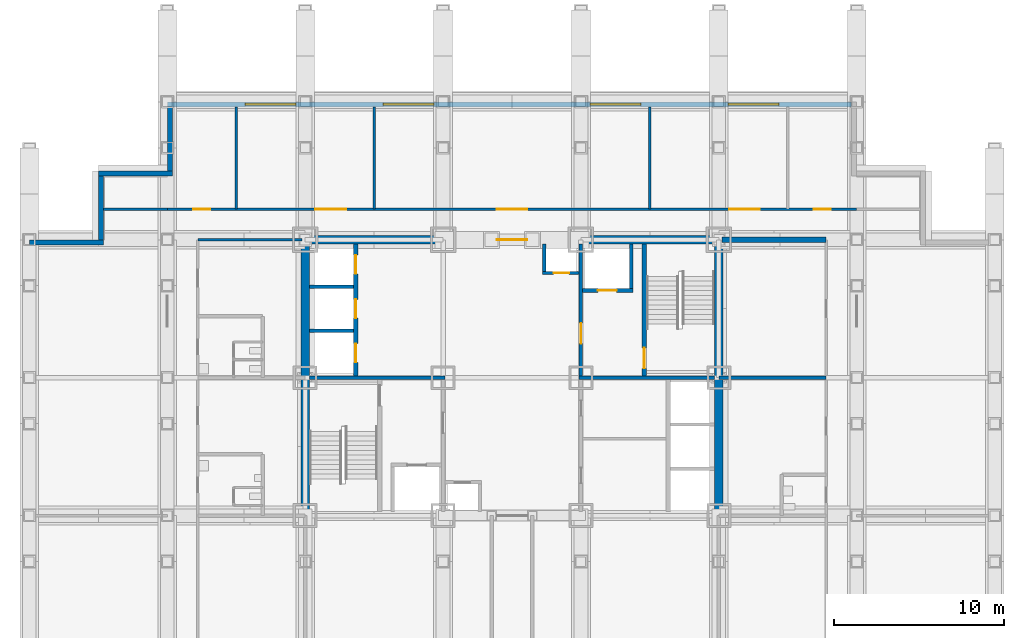
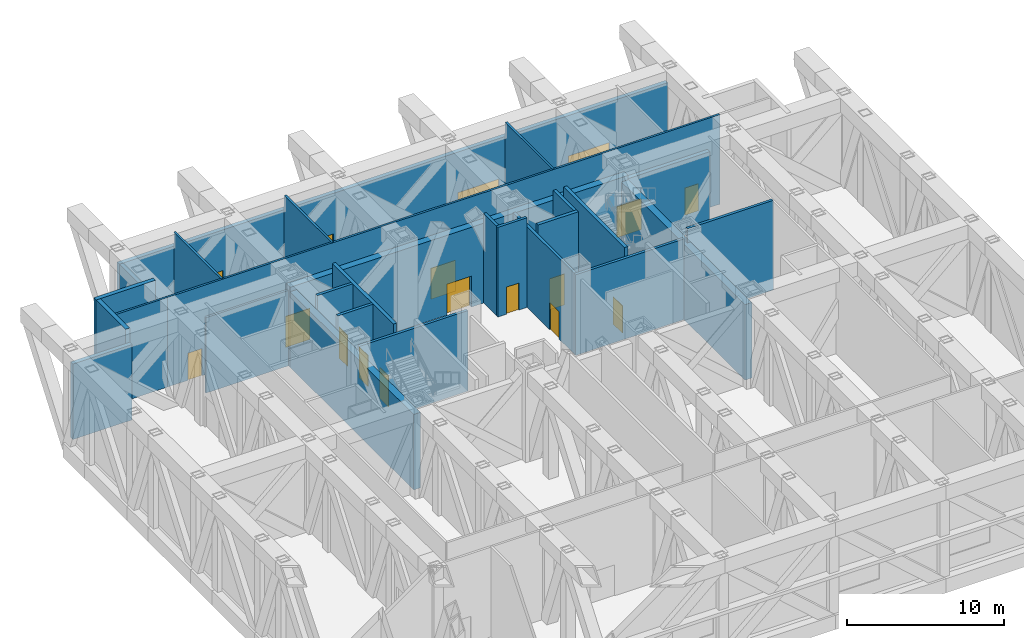
# One storey, part 10 of 13: 27 walls, 13 doors, 4 windows, 17 openings.
"""IFC4 building model written with IfcOpenShell, lengths in metres."""

import ifcopenshell
import ifcopenshell.guid

model = None  # the IFC model being written
_history = None  # IfcOwnerHistory: only IFC2X3 demands one
_inside = {}  # id of a spatial element -> (the spatial element, [elements in it])
_under = {}  # id of a project, library or spatial element -> (it, [spatial elements below it])
_declared = {}  # id of a project -> (the project, [libraries it declares])
_typed = {}  # id of a type object -> (the type object, [elements of that type])
_made_of = {}  # id of a material, layer set ... -> (it, [elements and type objects made of it])


def new_model(schema):
    """Start an empty IFC model of exactly this schema.

    Asked for "IFC4X3", IfcOpenShell would pick the latest addendum, in which some entities
    have other attributes; the version numbers below select the first issue.
    IFC2X3 requires an IfcOwnerHistory on every rooted entity: one is made here for all.
    """
    global model, _history
    if schema == "IFC4X3":
        model = ifcopenshell.file(schema_version=(4, 3, 0, 0))
    else:
        model = ifcopenshell.file(schema=schema)
    _inside.clear()
    _under.clear()
    _declared.clear()
    _typed.clear()
    _made_of.clear()
    _history = None
    if model.schema == "IFC2X3":
        org = make("IfcOrganization", Name="unknown")
        user = make(
            "IfcPersonAndOrganization",
            ThePerson=make("IfcPerson", FamilyName="unknown"),
            TheOrganization=org,
        )
        app = make(
            "IfcApplication",
            ApplicationDeveloper=org,
            Version="unknown",
            ApplicationFullName="unknown",
            ApplicationIdentifier="unknown",
        )
        _history = make(
            "IfcOwnerHistory",
            OwningUser=user,
            OwningApplication=app,
            ChangeAction="ADDED",
            CreationDate=0,
        )
    return model


def make(cls, **values):
    """One entity of the class cls with the attributes given. An attribute that is None is left unset."""
    return model.create_entity(
        cls, **{name: value for name, value in values.items() if value is not None}
    )


def rooted(cls, **values):
    """An entity with a GlobalId (a new one), such as an element, a storey or a relation."""
    return make(cls, GlobalId=ifcopenshell.guid.new(), OwnerHistory=_history, **values)


def si_unit(unit_type, name, prefix=None):
    """IfcSIUnit, for example si_unit("LENGTHUNIT", "METRE", prefix="MILLI")."""
    return make("IfcSIUnit", UnitType=unit_type, Prefix=prefix, Name=name)


def assignment(units):
    """IfcUnitAssignment: the units of a project."""
    return None if units is None else make("IfcUnitAssignment", Units=units)


def point(xyz):
    """IfcCartesianPoint."""
    return None if xyz is None else make("IfcCartesianPoint", Coordinates=xyz)


def direction(xyz):
    """IfcDirection."""
    return None if xyz is None else make("IfcDirection", DirectionRatios=xyz)


def frame(location, z_axis=None, x_axis=None):
    """IfcAxis2Placement3D, a coordinate frame: its origin and axes. An axis left out is left unset."""
    return make(
        "IfcAxis2Placement3D",
        Location=point(location),
        Axis=direction(z_axis),
        RefDirection=direction(x_axis),
    )


def frame_2d(location, x_axis=None):
    """IfcAxis2Placement2D, a coordinate frame in the plane: its origin and x axis."""
    return make(
        "IfcAxis2Placement2D", Location=point(location), RefDirection=direction(x_axis)
    )


def origin():
    """The frame at (0, 0, 0) with its axes left unset."""
    return frame((0.0, 0.0, 0.0))


def place(relative_to, where):
    """IfcLocalPlacement: puts the frame where relative to a parent placement (None: the world)."""
    return make(
        "IfcLocalPlacement", PlacementRelTo=relative_to, RelativePlacement=where
    )


def context(
    kind, dimensions, precision=None, world=None, true_north=None, identifier=None
):
    """IfcGeometricRepresentationContext, for example the 3D "Model" context."""
    return make(
        "IfcGeometricRepresentationContext",
        ContextIdentifier=identifier,
        ContextType=kind,
        CoordinateSpaceDimension=dimensions,
        Precision=precision,
        WorldCoordinateSystem=world,
        TrueNorth=true_north,
    )


def subcontext(parent, identifier, kind, view, scale=None):
    """IfcGeometricRepresentationSubContext, for example "Body" below "Model"."""
    return make(
        "IfcGeometricRepresentationSubContext",
        ContextIdentifier=identifier,
        ContextType=kind,
        ParentContext=parent,
        TargetScale=scale,
        TargetView=view,
    )


def project(units=None, contexts=None):
    """IfcProject with its units and contexts."""
    return rooted(
        "IfcProject",
        Name="project",
        RepresentationContexts=contexts,
        UnitsInContext=assignment(units),
    )


def spatial(cls, under=None, at=None, **own):
    """A site, building, storey or space (cls), placed at a placement, below another one or the project."""
    s = rooted(cls, ObjectPlacement=at, **own)
    if under is not None:
        _under.setdefault(under.id(), (under, []))[1].append(s)
    return s


def profile(cls, at=None, kind="AREA", **sizes):
    """A parametric profile (cls). Its sizes go by their IFC names, for example OverallWidth=200.0."""
    return make(cls, ProfileType=kind, Position=at, **sizes)


def rectangle(**sizes):
    """IfcRectangleProfileDef."""
    return profile("IfcRectangleProfileDef", **sizes)


def extrude(swept, where, along, depth):
    """IfcExtrudedAreaSolid: the profile swept, set in the frame where, extruded along a direction by depth."""
    return make(
        "IfcExtrudedAreaSolid",
        SweptArea=swept,
        Position=where,
        ExtrudedDirection=direction(along),
        Depth=depth,
    )


def shape(context_of_items, identifier, shape_type, items):
    """IfcShapeRepresentation: the items that make up one representation, for example the "Body"."""
    return make(
        "IfcShapeRepresentation",
        ContextOfItems=context_of_items,
        RepresentationIdentifier=identifier,
        RepresentationType=shape_type,
        Items=items,
    )


def material(Name=None, Category=None):
    """IfcMaterial."""
    return make("IfcMaterial", Name=Name, Category=Category)


def layer(
    of_material, thickness, ventilated=None, Name=None, Category=None, Priority=None
):
    """IfcMaterialLayer: one layer of a wall or slab, of a material (None: an air gap)."""
    return make(
        "IfcMaterialLayer",
        Material=of_material,
        LayerThickness=thickness,
        IsVentilated=ventilated,
        Name=Name,
        Category=Category,
        Priority=Priority,
    )


def layer_set(layers, Name=None):
    """IfcMaterialLayerSet."""
    return make("IfcMaterialLayerSet", MaterialLayers=layers, LayerSetName=Name)


def made_of(thing, what):
    """Note that an element or type object is made of a material, layer set ...; save() writes the relation."""
    if what is not None:
        _made_of.setdefault(what.id(), (what, []))[1].append(thing)
    return thing


def type_object(cls, material=None, **own):
    """A type object (cls), such as IfcWallType, which elements share."""
    return made_of(rooted(cls, **own), material)


def element(
    cls,
    number,
    at=None,
    inside=None,
    cuts=None,
    type_object=None,
    material=None,
    context=None,
    identifier="Body",
    shape_type=None,
    held_by="IfcProductDefinitionShape",
    body=None,
    shapes=None,
    **own,
):
    """One element of the class cls, such as IfcWall. Its Tag is "e" and its number.

    at: its placement. inside: the storey or other place that contains it. cuts: it is an
    opening in that element (IfcRelVoidsElement). A single representation is given by context,
    identifier, shape_type and body (its items); several are given by shapes. held_by: the class
    of the entity that holds the representations. save() writes the other relations.
    """
    e = rooted(cls, Tag="e%d" % number, ObjectPlacement=at, **own)
    if body is not None:
        shapes = [shape(context, identifier, shape_type, body)]
    if shapes is not None:
        e.Representation = make(held_by, Representations=shapes)
    if inside is not None:
        _inside.setdefault(inside.id(), (inside, []))[1].append(e)
    if cuts is not None:
        rooted(
            "IfcRelVoidsElement", RelatingBuildingElement=cuts, RelatedOpeningElement=e
        )
    if type_object is not None:
        _typed.setdefault(type_object.id(), (type_object, []))[1].append(e)
    return made_of(e, material)


def fill(opening, filler):
    """IfcRelFillsElement: the door or window that sits in an opening."""
    return rooted(
        "IfcRelFillsElement",
        RelatingOpeningElement=opening,
        RelatedBuildingElement=filler,
    )


def aggregate(whole, parts):
    """IfcRelAggregates: a whole, such as a stair, and the parts it consists of."""
    return rooted("IfcRelAggregates", RelatingObject=whole, RelatedObjects=parts)


def save(model, path):
    """Write the relations noted so far, then the file.

    IfcRelAggregates (storeys below a building ...), IfcRelContainedInSpatialStructure (elements
    in a storey), IfcRelDefinesByType, IfcRelAssociatesMaterial and IfcRelDeclares: one each for
    every whole, place, type object, material and project.
    """
    for whole, parts in _under.values():
        aggregate(whole, parts)
    for where, things in _inside.values():
        rooted(
            "IfcRelContainedInSpatialStructure",
            RelatedElements=things,
            RelatingStructure=where,
        )
    for kind, things in _typed.values():
        rooted("IfcRelDefinesByType", RelatedObjects=things, RelatingType=kind)
    for what, things in _made_of.values():
        rooted("IfcRelAssociatesMaterial", RelatedObjects=things, RelatingMaterial=what)
    for by, libraries in _declared.values():
        rooted("IfcRelDeclares", RelatingContext=by, RelatedDefinitions=libraries)
    model.write(path)


model = new_model("IFC4")

# Units and contexts
model_context = context("Model", 3, precision=1e-05, world=origin(), true_north=direction((0.0, 1.0)))
body_context = subcontext(model_context, "Body", "Model", "MODEL_VIEW")
ifc_project = project(units=[si_unit("LENGTHUNIT", "METRE"), si_unit("AREAUNIT", "SQUARE_METRE"), si_unit("VOLUMEUNIT", "CUBIC_METRE"), si_unit("PLANEANGLEUNIT", "RADIAN"), si_unit("MASSUNIT", "GRAM", prefix="KILO")], contexts=[model_context])

# Site, building, storey
site_placement = place(None, origin())
site = spatial("IfcSite", under=ifc_project, at=site_placement, CompositionType="ELEMENT")
building_placement = place(site_placement, origin())
building = spatial("IfcBuilding", under=site, at=building_placement, Name="Kopane Lantern Tower", CompositionType="ELEMENT")
storey_placement = place(building_placement, frame((0.0, 0.0, 90.800048828125)))
storey = spatial("IfcBuildingStorey", under=building, at=storey_placement, Name="L23", CompositionType="ELEMENT", Elevation=90.800048828125)

# Wall, opening, door
ifc_material_1 = material(Name="Gypsum shaft wall EI 120", Category="gypsum")
ifc_layer_1 = layer(ifc_material_1, 0.5)
ifc_layer_set_1 = layer_set([ifc_layer_1], Name="CORE PERIMETER WALL 500 EI 120")
wall_type_1 = type_object("IfcWallType", Name="CORE PERIMETER WALL 500 EI 120", PredefinedType="SOLIDWALL", material=ifc_layer_set_1)
wall_1_placement = place(storey_placement, frame((15.949951171875, 40.5, 0.0), z_axis=(0.0, 0.0, 1.0), x_axis=(1.0, 0.0, 0.0)))
wall_1 = element("IfcWall", 1, at=wall_1_placement, inside=storey, type_object=wall_type_1, Name="Core shaft wall L23 PN", PredefinedType="SOLIDWALL", context=body_context, shape_type="SweptSolid", body=[
    extrude(rectangle(XDim=24.800048828125, YDim=0.5, at=frame_2d((12.39990234375, 0.0))), origin(), (0.0, 0.0, 1.0), 6.187744140625),
])
opening_1_placement = place(wall_1_placement, frame((11.5, 0.0, 0.0)))
opening_1 = element("IfcOpeningElement", 2, at=opening_1_placement, cuts=wall_1, Name="Opening 23.CE-N", PredefinedType="OPENING", context=body_context, shape_type="SweptSolid", body=[
    extrude(rectangle(XDim=1.800048828125, YDim=2.39990234375, at=frame_2d((0.89990234375, 1.199951171875))), frame((0.0, 0.260009765625, 0.0), z_axis=(0.0, -1.0, 0.0), x_axis=(1.0, 0.0, 0.0)), (0.0, 0.0, 1.0), 0.52001953125),
])
ifc_material_2 = material(Name="Steel door set", Category="steel")
door_type_1 = type_object("IfcDoorType", Name="CORE ENTRY DOOR 1800x2400 FD60S", OperationType="DOUBLE_DOOR_SINGLE_SWING", PredefinedType="DOOR", material=ifc_material_2)
door_1_placement = place(opening_1_placement, origin())
door_1 = element("IfcDoor", 3, at=door_1_placement, inside=storey, type_object=door_type_1, Name="Core entry door L23 north", OperationType="DOUBLE_DOOR_SINGLE_SWING", OverallHeight=2.39990234375, OverallWidth=1.800048828125, PredefinedType="DOOR", context=body_context, shape_type="SweptSolid", body=[
    extrude(rectangle(XDim=1.800048828125, YDim=2.39990234375, at=frame_2d((0.89990234375, 1.199951171875))), frame((0.0, 0.02490234375, 0.0), z_axis=(0.0, -1.0, 0.0), x_axis=(1.0, 0.0, 0.0)), (0.0, 0.0, 1.0), 0.050048828125),
])
fill(opening_1, door_1)

# Walls
for number, where, z_axis, x_axis, name in (
    (4, (16.199951171875, 24.550048828125, 0.0), (0.0, 0.0, 1.0), (0.0, 1.0, 0.0), "Core shaft wall L23 PW"),
    (5, (40.5, 24.550048828125, 0.0), (0.0, 0.0, 1.0), (0.0, 1.0, 0.0), "Core shaft wall L23 PE"),
):
    element("IfcWall", number, at=place(storey_placement, frame(where, z_axis=z_axis, x_axis=x_axis)), inside=storey, type_object=wall_type_1, Name=name, PredefinedType="SOLIDWALL", context=body_context, shape_type="SweptSolid", body=[
        extrude(rectangle(XDim=15.699951171875, YDim=0.5, at=frame_2d((7.85009765625, 0.0))), origin(), (0.0, 0.0, 1.0), 5.849853515625),
    ])

# Wall, openings, doors
ifc_material_3 = material(Name="Gypsum shaft wall EI 120", Category="gypsum")
ifc_layer_2 = layer(ifc_material_3, 0.25)
ifc_layer_set_2 = layer_set([ifc_layer_2], Name="CORE SHAFT WALL 250 EI 120")
wall_type_2 = type_object("IfcWallType", Name="CORE SHAFT WALL 250 EI 120", PredefinedType="SOLIDWALL", material=ifc_layer_set_2)
wall_2_placement = place(storey_placement, frame((19.175048828125, 32.5, 0.0), z_axis=(0.0, 0.0, 1.0), x_axis=(0.0, 1.0, 0.0)))
wall_2 = element("IfcWall", 6, at=wall_2_placement, inside=storey, type_object=wall_type_2, Name="Core shaft wall L23 XLH", PredefinedType="SOLIDWALL", context=body_context, shape_type="SweptSolid", body=[
    extrude(rectangle(XDim=7.75, YDim=0.25, at=frame_2d((3.875, 0.0))), origin(), (0.0, 0.0, 1.0), 6.949951171875),
])
opening_2_placement = place(wall_2_placement, frame((0.800048828125, 0.0, 0.0)))
opening_2 = element("IfcOpeningElement", 7, at=opening_2_placement, cuts=wall_2, Name="Opening 23.LD-LH1", PredefinedType="OPENING", context=body_context, shape_type="SweptSolid", body=[
    extrude(rectangle(XDim=1.10009765625, YDim=2.39990234375, at=frame_2d((0.550048828125, 1.199951171875))), frame((0.0, 0.135009765625, 0.0), z_axis=(0.0, -1.0, 0.0), x_axis=(1.0, 0.0, 0.0)), (0.0, 0.0, 1.0), 0.27001953125),
])
opening_3_placement = place(wall_2_placement, frame((3.39990234375, 0.0, 0.0)))
opening_3 = element("IfcOpeningElement", 8, at=opening_3_placement, cuts=wall_2, Name="Opening 23.LD-LH2", PredefinedType="OPENING", context=body_context, shape_type="SweptSolid", body=[
    extrude(rectangle(XDim=1.10009765625, YDim=2.39990234375, at=frame_2d((0.550048828125, 1.199951171875))), frame((0.0, 0.135009765625, 0.0), z_axis=(0.0, -1.0, 0.0), x_axis=(1.0, 0.0, 0.0)), (0.0, 0.0, 1.0), 0.27001953125),
])
opening_4_placement = place(wall_2_placement, frame((6.0, 0.0, 0.0)))
opening_4 = element("IfcOpeningElement", 9, at=opening_4_placement, cuts=wall_2, Name="Opening 23.LD-LH3", PredefinedType="OPENING", context=body_context, shape_type="SweptSolid", body=[
    extrude(rectangle(XDim=1.10009765625, YDim=2.39990234375, at=frame_2d((0.550048828125, 1.199951171875))), frame((0.0, 0.135009765625, 0.0), z_axis=(0.0, -1.0, 0.0), x_axis=(1.0, 0.0, 0.0)), (0.0, 0.0, 1.0), 0.27001953125),
])
ifc_material_4 = material(Name="Steel door set", Category="steel")
door_type_2 = type_object("IfcDoorType", Name="LIFT LANDING DOOR 1100x2400 FD60", OperationType="DOUBLE_DOOR_SLIDING", PredefinedType="DOOR", material=ifc_material_4)
door_2_placement = place(opening_2_placement, origin())
door_2 = element("IfcDoor", 10, at=door_2_placement, inside=storey, type_object=door_type_2, Name="Landing door LH1 L23", OperationType="DOUBLE_DOOR_SLIDING", OverallHeight=2.39990234375, OverallWidth=1.10009765625, PredefinedType="DOOR", context=body_context, shape_type="SweptSolid", body=[
    extrude(rectangle(XDim=1.10009765625, YDim=2.39990234375, at=frame_2d((0.550048828125, 1.199951171875))), frame((0.0, 0.02490234375, 0.0), z_axis=(0.0, -1.0, 0.0), x_axis=(1.0, 0.0, 0.0)), (0.0, 0.0, 1.0), 0.050048828125),
])
fill(opening_2, door_2)
door_3_placement = place(opening_3_placement, origin())
door_3 = element("IfcDoor", 11, at=door_3_placement, inside=storey, type_object=door_type_2, Name="Landing door LH2 L23", OperationType="DOUBLE_DOOR_SLIDING", OverallHeight=2.39990234375, OverallWidth=1.10009765625, PredefinedType="DOOR", context=body_context, shape_type="SweptSolid", body=[
    extrude(rectangle(XDim=1.10009765625, YDim=2.39990234375, at=frame_2d((0.550048828125, 1.199951171875))), frame((0.0, 0.02490234375, 0.0), z_axis=(0.0, -1.0, 0.0), x_axis=(1.0, 0.0, 0.0)), (0.0, 0.0, 1.0), 0.050048828125),
])
fill(opening_3, door_3)
door_4_placement = place(opening_4_placement, origin())
door_4 = element("IfcDoor", 12, at=door_4_placement, inside=storey, type_object=door_type_2, Name="Landing door LH3 L23", OperationType="DOUBLE_DOOR_SLIDING", OverallHeight=2.39990234375, OverallWidth=1.10009765625, PredefinedType="DOOR", context=body_context, shape_type="SweptSolid", body=[
    extrude(rectangle(XDim=1.10009765625, YDim=2.39990234375, at=frame_2d((0.550048828125, 1.199951171875))), frame((0.0, 0.02490234375, 0.0), z_axis=(0.0, -1.0, 0.0), x_axis=(1.0, 0.0, 0.0)), (0.0, 0.0, 1.0), 0.050048828125),
])
fill(opening_4, door_4)

# Wall, opening, door
wall_3_placement = place(storey_placement, frame((36.125, 32.5, 0.0), z_axis=(0.0, 0.0, 1.0), x_axis=(0.0, 1.0, 0.0)))
wall_3 = element("IfcWall", 13, at=wall_3_placement, inside=storey, type_object=wall_type_2, Name="Core shaft wall L23 XST2", PredefinedType="SOLIDWALL", context=body_context, shape_type="SweptSolid", body=[
    extrude(rectangle(XDim=7.75, YDim=0.25, at=frame_2d((3.875, 0.0))), origin(), (0.0, 0.0, 1.0), 6.949951171875),
])
opening_5_placement = place(wall_3_placement, frame((0.449951171875, 0.0, 0.0)))
opening_5 = element("IfcOpeningElement", 14, at=opening_5_placement, cuts=wall_3, Name="Opening 23.SD2", PredefinedType="OPENING", context=body_context, shape_type="SweptSolid", body=[
    extrude(rectangle(XDim=1.199951171875, YDim=2.10009765625, at=frame_2d((0.60009765625, 1.050048828125))), frame((0.0, 0.135009765625, 0.0), z_axis=(0.0, -1.0, 0.0), x_axis=(1.0, 0.0, 0.0)), (0.0, 0.0, 1.0), 0.27001953125),
])
ifc_material_5 = material(Name="Steel door set", Category="steel")
door_type_3 = type_object("IfcDoorType", Name="STAIR DOOR 1200x2100 FD60S", OperationType="SINGLE_SWING_LEFT", PredefinedType="DOOR", material=ifc_material_5)
door_5_placement = place(opening_5_placement, origin())
door_5 = element("IfcDoor", 15, at=door_5_placement, inside=storey, type_object=door_type_3, Name="Stair door ST2 L23", OperationType="SINGLE_SWING_RIGHT", OverallHeight=2.10009765625, OverallWidth=1.199951171875, PredefinedType="DOOR", context=body_context, shape_type="SweptSolid", body=[
    extrude(rectangle(XDim=1.199951171875, YDim=2.10009765625, at=frame_2d((0.60009765625, 1.050048828125))), frame((0.0, 0.02490234375, 0.0), z_axis=(0.0, -1.0, 0.0), x_axis=(1.0, 0.0, 0.0)), (0.0, 0.0, 1.0), 0.050048828125),
])
fill(opening_5, door_5)

wall_4_placement = place(storey_placement, frame((32.5, 37.52490234375, 0.0), z_axis=(0.0, 0.0, 1.0), x_axis=(1.0, 0.0, 0.0)))
wall_4 = element("IfcWall", 16, at=wall_4_placement, inside=storey, type_object=wall_type_2, Name="Core shaft wall L23 YLF2", PredefinedType="SOLIDWALL", context=body_context, shape_type="SweptSolid", body=[
    extrude(rectangle(XDim=2.949951171875, YDim=0.25, at=frame_2d((1.47509765625, 0.0))), origin(), (0.0, 0.0, 1.0), 6.949951171875),
])
opening_6_placement = place(wall_4_placement, frame((0.89990234375, 0.0, 0.0)))
opening_6 = element("IfcOpeningElement", 17, at=opening_6_placement, cuts=wall_4, Name="Opening 23.LD-LF2", PredefinedType="OPENING", context=body_context, shape_type="SweptSolid", body=[
    extrude(rectangle(XDim=1.10009765625, YDim=2.39990234375, at=frame_2d((0.550048828125, 1.199951171875))), frame((0.0, 0.135009765625, 0.0), z_axis=(0.0, -1.0, 0.0), x_axis=(1.0, 0.0, 0.0)), (0.0, 0.0, 1.0), 0.27001953125),
])
door_6_placement = place(opening_6_placement, origin())
door_6 = element("IfcDoor", 18, at=door_6_placement, inside=storey, type_object=door_type_2, Name="Landing door LF2 L23", OperationType="DOUBLE_DOOR_SLIDING", OverallHeight=2.39990234375, OverallWidth=1.10009765625, PredefinedType="DOOR", context=body_context, shape_type="SweptSolid", body=[
    extrude(rectangle(XDim=1.10009765625, YDim=2.39990234375, at=frame_2d((0.550048828125, 1.199951171875))), frame((0.0, 0.02490234375, 0.0), z_axis=(0.0, -1.0, 0.0), x_axis=(1.0, 0.0, 0.0)), (0.0, 0.0, 1.0), 0.050048828125),
])
fill(opening_6, door_6)

# Wall, openings, doors
ifc_material_6 = material(Name="Gypsum board on steel studs", Category="steel")
ifc_layer_3 = layer(ifc_material_6, 0.14990234375)
ifc_layer_set_3 = layer_set([ifc_layer_3], Name="CORRIDOR WALL 150 EI 60")
wall_type_3 = type_object("IfcWallType", Name="CORRIDOR WALL 150 EI 60", PredefinedType="PARTITIONING", material=ifc_layer_set_3)
wall_5_placement = place(storey_placement, frame((8.10009765625, 42.300048828125, 0.0), z_axis=(0.0, 0.0, 1.0), x_axis=(1.0, 0.0, 0.0)))
wall_5 = element("IfcWall", 19, at=wall_5_placement, inside=storey, type_object=wall_type_3, Name="Corridor Wall 150 Ei 60 L23", PredefinedType="PARTITIONING", context=body_context, shape_type="SweptSolid", body=[
    extrude(rectangle(XDim=40.5, YDim=0.14990234375, at=frame_2d((20.25, 0.0))), origin(), (0.0, 0.0, 1.0), 6.949951171875),
])
opening_7_placement = place(wall_5_placement, frame((8.699951171875, 0.0, 0.0)))
opening_7 = element("IfcOpeningElement", 20, at=opening_7_placement, cuts=wall_5, Name="Opening L23-014", PredefinedType="OPENING", context=body_context, shape_type="SweptSolid", body=[
    extrude(rectangle(XDim=1.800048828125, YDim=2.39990234375, at=frame_2d((0.89990234375, 1.199951171875))), frame((0.0, 0.0849609375, 0.0), z_axis=(0.0, -1.0, 0.0), x_axis=(1.0, 0.0, 0.0)), (0.0, 0.0, 1.0), 0.169921875),
])
opening_8_placement = place(wall_5_placement, frame((19.35009765625, 0.0, 0.0)))
opening_8 = element("IfcOpeningElement", 21, at=opening_8_placement, cuts=wall_5, Name="Opening L23-015", PredefinedType="OPENING", context=body_context, shape_type="SweptSolid", body=[
    extrude(rectangle(XDim=1.800048828125, YDim=2.39990234375, at=frame_2d((0.89990234375, 1.199951171875))), frame((0.0, 0.0849609375, 0.0), z_axis=(0.0, -1.0, 0.0), x_axis=(1.0, 0.0, 0.0)), (0.0, 0.0, 1.0), 0.169921875),
])
opening_9_placement = place(wall_5_placement, frame((33.0, 0.0, 0.0)))
opening_9 = element("IfcOpeningElement", 22, at=opening_9_placement, cuts=wall_5, Name="Opening L23-016", PredefinedType="OPENING", context=body_context, shape_type="SweptSolid", body=[
    extrude(rectangle(XDim=1.800048828125, YDim=2.39990234375, at=frame_2d((0.89990234375, 1.199951171875))), frame((0.0, 0.0849609375, 0.0), z_axis=(0.0, -1.0, 0.0), x_axis=(1.0, 0.0, 0.0)), (0.0, 0.0, 1.0), 0.169921875),
])
opening_10_placement = place(wall_5_placement, frame((37.97509765625, 0.0, 0.0)))
opening_10 = element("IfcOpeningElement", 23, at=opening_10_placement, cuts=wall_5, Name="Opening L23-023", PredefinedType="OPENING", context=body_context, shape_type="SweptSolid", body=[
    extrude(rectangle(XDim=1.0, YDim=2.10009765625, at=frame_2d((0.5, 1.050048828125))), frame((0.0, 0.0849609375, 0.0), z_axis=(0.0, -1.0, 0.0), x_axis=(1.0, 0.0, 0.0)), (0.0, 0.0, 1.0), 0.169921875),
])
opening_11_placement = place(wall_5_placement, frame((1.52490234375, 0.0, 0.0)))
opening_11 = element("IfcOpeningElement", 24, at=opening_11_placement, cuts=wall_5, Name="Opening L23-024", PredefinedType="OPENING", context=body_context, shape_type="SweptSolid", body=[
    extrude(rectangle(XDim=1.0, YDim=2.10009765625, at=frame_2d((0.5, 1.050048828125))), frame((0.0, 0.0849609375, 0.0), z_axis=(0.0, -1.0, 0.0), x_axis=(1.0, 0.0, 0.0)), (0.0, 0.0, 1.0), 0.169921875),
])
ifc_material_7 = material(Name="Steel door set", Category="steel")
door_type_4 = type_object("IfcDoorType", Name="DOOR D5 1000x2100 FD60", OperationType="SINGLE_SWING_LEFT", PredefinedType="DOOR", material=ifc_material_7)
door_7_placement = place(opening_10_placement, origin())
door_7 = element("IfcDoor", 25, at=door_7_placement, inside=storey, type_object=door_type_4, Name="Door L23-023", OperationType="SINGLE_SWING_LEFT", OverallHeight=2.10009765625, OverallWidth=1.0, PredefinedType="DOOR", context=body_context, shape_type="SweptSolid", body=[
    extrude(rectangle(XDim=1.0, YDim=2.10009765625, at=frame_2d((0.5, 1.050048828125))), frame((0.0, 0.02490234375, 0.0), z_axis=(0.0, -1.0, 0.0), x_axis=(1.0, 0.0, 0.0)), (0.0, 0.0, 1.0), 0.050048828125),
])
fill(opening_10, door_7)
door_8_placement = place(opening_11_placement, origin())
door_8 = element("IfcDoor", 26, at=door_8_placement, inside=storey, type_object=door_type_4, Name="Door L23-024", OperationType="SINGLE_SWING_RIGHT", OverallHeight=2.10009765625, OverallWidth=1.0, PredefinedType="DOOR", context=body_context, shape_type="SweptSolid", body=[
    extrude(rectangle(XDim=1.0, YDim=2.10009765625, at=frame_2d((0.5, 1.050048828125))), frame((0.0, 0.02490234375, 0.0), z_axis=(0.0, -1.0, 0.0), x_axis=(1.0, 0.0, 0.0)), (0.0, 0.0, 1.0), 0.050048828125),
])
fill(opening_11, door_8)
ifc_material_8 = material(Name="Steel door set", Category="steel")
door_type_5 = type_object("IfcDoorType", Name="DOOR D6 1800x2400 FD30S", OperationType="SINGLE_SWING_LEFT", PredefinedType="DOOR", material=ifc_material_8)
door_9_placement = place(opening_7_placement, origin())
door_9 = element("IfcDoor", 27, at=door_9_placement, inside=storey, type_object=door_type_5, Name="Door L23-014", OperationType="DOUBLE_DOOR_SINGLE_SWING", OverallHeight=2.39990234375, OverallWidth=1.800048828125, PredefinedType="DOOR", context=body_context, shape_type="SweptSolid", body=[
    extrude(rectangle(XDim=1.800048828125, YDim=2.39990234375, at=frame_2d((0.89990234375, 1.199951171875))), frame((0.0, 0.02490234375, 0.0), z_axis=(0.0, -1.0, 0.0), x_axis=(1.0, 0.0, 0.0)), (0.0, 0.0, 1.0), 0.050048828125),
])
fill(opening_7, door_9)
ifc_material_9 = material(Name="Steel door set", Category="steel")
door_type_6 = type_object("IfcDoorType", Name="DOOR D8 1800x2400 FD120", OperationType="SINGLE_SWING_LEFT", PredefinedType="DOOR", material=ifc_material_9)
door_10_placement = place(opening_8_placement, origin())
door_10 = element("IfcDoor", 28, at=door_10_placement, inside=storey, type_object=door_type_6, Name="Door L23-015", OperationType="DOUBLE_DOOR_SINGLE_SWING", OverallHeight=2.39990234375, OverallWidth=1.800048828125, PredefinedType="DOOR", context=body_context, shape_type="SweptSolid", body=[
    extrude(rectangle(XDim=1.800048828125, YDim=2.39990234375, at=frame_2d((0.89990234375, 1.199951171875))), frame((0.0, 0.02490234375, 0.0), z_axis=(0.0, -1.0, 0.0), x_axis=(1.0, 0.0, 0.0)), (0.0, 0.0, 1.0), 0.050048828125),
])
fill(opening_8, door_10)
door_11_placement = place(opening_9_placement, origin())
door_11 = element("IfcDoor", 29, at=door_11_placement, inside=storey, type_object=door_type_6, Name="Door L23-016", OperationType="DOUBLE_DOOR_SINGLE_SWING", OverallHeight=2.39990234375, OverallWidth=1.800048828125, PredefinedType="DOOR", context=body_context, shape_type="SweptSolid", body=[
    extrude(rectangle(XDim=1.800048828125, YDim=2.39990234375, at=frame_2d((0.89990234375, 1.199951171875))), frame((0.0, 0.02490234375, 0.0), z_axis=(0.0, -1.0, 0.0), x_axis=(1.0, 0.0, 0.0)), (0.0, 0.0, 1.0), 0.050048828125),
])
fill(opening_9, door_11)

# Walls
wall_6_placement = place(storey_placement, frame((16.0, 40.5, 0.0), z_axis=(0.0, 0.0, 1.0), x_axis=(-1.0, 0.0, 0.0)))
element("IfcWall", 30, at=wall_6_placement, inside=storey, type_object=wall_type_3, Name="Corridor Wall 150 Ei 60 L23", PredefinedType="PARTITIONING", context=body_context, shape_type="SweptSolid", body=[
    extrude(rectangle(XDim=6.10009765625, YDim=0.14990234375, at=frame_2d((3.050048828125, 0.0))), origin(), (0.0, 0.0, 1.0), 5.849853515625),
])
ifc_material_10 = material(Name="Gypsum board on steel studs", Category="steel")
ifc_layer_4 = layer(ifc_material_10, 0.14990234375)
ifc_layer_set_4 = layer_set([ifc_layer_4], Name="DEMISING WALL 150 EI 60")
wall_type_4 = type_object("IfcWallType", Name="DEMISING WALL 150 EI 60", PredefinedType="PARTITIONING", material=ifc_layer_set_4)
for number, where, z_axis, x_axis, name in (
    (31, (20.25, 42.300048828125, 0.0), (0.0, 0.0, 1.0), (0.0, 1.0, 0.0), "Demising Wall 150 Ei 60 L23"),
    (32, (36.449951171875, 42.300048828125, 0.0), (0.0, 0.0, 1.0), (0.0, 1.0, 0.0), "Demising Wall 150 Ei 60 L23"),
):
    element("IfcWall", number, at=place(storey_placement, frame(where, z_axis=z_axis, x_axis=x_axis)), inside=storey, type_object=wall_type_4, Name=name, PredefinedType="PARTITIONING", context=body_context, shape_type="SweptSolid", body=[
        extrude(rectangle(XDim=6.0, YDim=0.14990234375, at=frame_2d((3.0, 0.0))), origin(), (0.0, 0.0, 1.0), 6.949951171875),
    ])
wall_7_placement = place(storey_placement, frame((4.35009765625, 42.300048828125, 0.0), z_axis=(0.0, 0.0, 1.0), x_axis=(1.0, 0.0, 0.0)))
element("IfcWall", 33, at=wall_7_placement, inside=storey, type_object=wall_type_4, Name="Demising Wall 150 Ei 60 L23", PredefinedType="PARTITIONING", context=body_context, shape_type="SweptSolid", body=[
    extrude(rectangle(XDim=3.75, YDim=0.14990234375, at=frame_2d((1.875, 0.0))), origin(), (0.0, 0.0, 1.0), 6.949951171875),
])
wall_8_placement = place(storey_placement, frame((12.14990234375, 42.300048828125, 0.0), z_axis=(0.0, 0.0, 1.0), x_axis=(0.0, 1.0, 0.0)))
element("IfcWall", 34, at=wall_8_placement, inside=storey, type_object=wall_type_4, Name="Demising Wall 150 Ei 60 L23", PredefinedType="PARTITIONING", context=body_context, shape_type="SweptSolid", body=[
    extrude(rectangle(XDim=6.0, YDim=0.14990234375, at=frame_2d((3.0, 0.0))), origin(), (0.0, 0.0, 1.0), 6.949951171875),
])

# Wall, openings, windows
ifc_material_11 = material(Name="Terracotta rainscreen on light steel framing", Category="masonry")
ifc_layer_5 = layer(ifc_material_11, 0.300048828125)
ifc_layer_set_5 = layer_set([ifc_layer_5], Name="EXTERNAL WALL EW1 300 TERRACOTTA")
wall_type_5 = type_object("IfcWallType", Name="EXTERNAL WALL EW1 300 TERRACOTTA", PredefinedType="SOLIDWALL", material=ifc_layer_set_5)
wall_9_placement = place(storey_placement, frame((48.300048828125, 48.449951171875, 0.0), z_axis=(0.0, 0.0, 1.0), x_axis=(-1.0, 0.0, 0.0)))
wall_9 = element("IfcWall", 35, at=wall_9_placement, inside=storey, type_object=wall_type_5, Name="External wall N L23", PredefinedType="SOLIDWALL", context=body_context, shape_type="SweptSolid", body=[
    extrude(rectangle(XDim=40.199951171875, YDim=0.300048828125, at=frame_2d((20.10009765625, 0.0))), origin(), (0.0, 0.0, 1.0), 5.849853515625),
])
opening_12_placement = place(wall_9_placement, frame((4.27490234375, 0.0, 1.0)))
opening_12 = element("IfcOpeningElement", 36, at=opening_12_placement, cuts=wall_9, Name="Opening LV300170", PredefinedType="OPENING", context=body_context, shape_type="SweptSolid", body=[
    extrude(rectangle(XDim=3.0, YDim=1.699951171875, at=frame_2d((1.5, 0.85009765625))), frame((0.0, 0.159912109375, 0.0), z_axis=(0.0, -1.0, 0.0), x_axis=(1.0, 0.0, 0.0)), (0.0, 0.0, 1.0), 0.320068359375),
])
opening_13_placement = place(wall_9_placement, frame((12.375, 0.0, 1.0)))
opening_13 = element("IfcOpeningElement", 37, at=opening_13_placement, cuts=wall_9, Name="Opening LV300170", PredefinedType="OPENING", context=body_context, shape_type="SweptSolid", body=[
    extrude(rectangle(XDim=3.0, YDim=1.699951171875, at=frame_2d((1.5, 0.85009765625))), frame((0.0, 0.159912109375, 0.0), z_axis=(0.0, -1.0, 0.0), x_axis=(1.0, 0.0, 0.0)), (0.0, 0.0, 1.0), 0.320068359375),
])
opening_14_placement = place(wall_9_placement, frame((24.52490234375, 0.0, 1.0)))
opening_14 = element("IfcOpeningElement", 38, at=opening_14_placement, cuts=wall_9, Name="Opening LV300170", PredefinedType="OPENING", context=body_context, shape_type="SweptSolid", body=[
    extrude(rectangle(XDim=3.0, YDim=1.699951171875, at=frame_2d((1.5, 0.85009765625))), frame((0.0, 0.159912109375, 0.0), z_axis=(0.0, -1.0, 0.0), x_axis=(1.0, 0.0, 0.0)), (0.0, 0.0, 1.0), 0.320068359375),
])
opening_15_placement = place(wall_9_placement, frame((32.625, 0.0, 1.0)))
opening_15 = element("IfcOpeningElement", 39, at=opening_15_placement, cuts=wall_9, Name="Opening LV300170", PredefinedType="OPENING", context=body_context, shape_type="SweptSolid", body=[
    extrude(rectangle(XDim=3.0, YDim=1.699951171875, at=frame_2d((1.5, 0.85009765625))), frame((0.0, 0.159912109375, 0.0), z_axis=(0.0, -1.0, 0.0), x_axis=(1.0, 0.0, 0.0)), (0.0, 0.0, 1.0), 0.320068359375),
])
ifc_material_12 = material(Name="Aluminium louvre blades", Category="aluminium")
window_type = type_object("IfcWindowType", Name="PLANT LOUVRE LV300170 3000x1700x150", PartitioningType="SINGLE_PANEL", PredefinedType="USERDEFINED", material=ifc_material_12)
window_1_placement = place(opening_12_placement, origin())
window_1 = element("IfcWindow", 40, at=window_1_placement, inside=storey, type_object=window_type, Name="Louvre N L23", ObjectType="LOUVRE", OverallHeight=1.699951171875, OverallWidth=3.0, PartitioningType="SINGLE_PANEL", PredefinedType="USERDEFINED", context=body_context, shape_type="SweptSolid", body=[
    extrude(rectangle(XDim=3.0, YDim=1.699951171875, at=frame_2d((1.5, 0.85009765625))), frame((0.0, 0.074951171875, 0.0), z_axis=(0.0, -1.0, 0.0), x_axis=(1.0, 0.0, 0.0)), (0.0, 0.0, 1.0), 0.14990234375),
])
fill(opening_12, window_1)
window_2_placement = place(opening_13_placement, origin())
window_2 = element("IfcWindow", 41, at=window_2_placement, inside=storey, type_object=window_type, Name="Louvre N L23", ObjectType="LOUVRE", OverallHeight=1.699951171875, OverallWidth=3.0, PartitioningType="SINGLE_PANEL", PredefinedType="USERDEFINED", context=body_context, shape_type="SweptSolid", body=[
    extrude(rectangle(XDim=3.0, YDim=1.699951171875, at=frame_2d((1.5, 0.85009765625))), frame((0.0, 0.074951171875, 0.0), z_axis=(0.0, -1.0, 0.0), x_axis=(1.0, 0.0, 0.0)), (0.0, 0.0, 1.0), 0.14990234375),
])
fill(opening_13, window_2)
window_3_placement = place(opening_14_placement, origin())
window_3 = element("IfcWindow", 42, at=window_3_placement, inside=storey, type_object=window_type, Name="Louvre N L23", ObjectType="LOUVRE", OverallHeight=1.699951171875, OverallWidth=3.0, PartitioningType="SINGLE_PANEL", PredefinedType="USERDEFINED", context=body_context, shape_type="SweptSolid", body=[
    extrude(rectangle(XDim=3.0, YDim=1.699951171875, at=frame_2d((1.5, 0.85009765625))), frame((0.0, 0.074951171875, 0.0), z_axis=(0.0, -1.0, 0.0), x_axis=(1.0, 0.0, 0.0)), (0.0, 0.0, 1.0), 0.14990234375),
])
fill(opening_14, window_3)
window_4_placement = place(opening_15_placement, origin())
window_4 = element("IfcWindow", 43, at=window_4_placement, inside=storey, type_object=window_type, Name="Louvre N L23", ObjectType="LOUVRE", OverallHeight=1.699951171875, OverallWidth=3.0, PartitioningType="SINGLE_PANEL", PredefinedType="USERDEFINED", context=body_context, shape_type="SweptSolid", body=[
    extrude(rectangle(XDim=3.0, YDim=1.699951171875, at=frame_2d((1.5, 0.85009765625))), frame((0.0, 0.074951171875, 0.0), z_axis=(0.0, -1.0, 0.0), x_axis=(1.0, 0.0, 0.0)), (0.0, 0.0, 1.0), 0.14990234375),
])
fill(opening_15, window_4)

# Walls
wall_10_placement = place(storey_placement, frame((8.25, 48.300048828125, 0.0), z_axis=(0.0, 0.0, 1.0), x_axis=(0.0, -1.0, 0.0)))
element("IfcWall", 44, at=wall_10_placement, inside=storey, type_object=wall_type_5, Name="External wall W L23", PredefinedType="SOLIDWALL", context=body_context, shape_type="SweptSolid", body=[
    extrude(rectangle(XDim=3.75, YDim=0.300048828125, at=frame_2d((1.875, 0.0))), origin(), (0.0, 0.0, 1.0), 5.849853515625),
])
wall_11_placement = place(storey_placement, frame((8.39990234375, 44.39990234375, 0.0), z_axis=(0.0, 0.0, 1.0), x_axis=(-1.0, 0.0, 0.0)))
element("IfcWall", 45, at=wall_11_placement, inside=storey, type_object=wall_type_5, Name="External wall N L23", PredefinedType="SOLIDWALL", context=body_context, shape_type="SweptSolid", body=[
    extrude(rectangle(XDim=4.349853515625, YDim=0.300048828125, at=frame_2d((2.1748046875, 0.0))), origin(), (0.0, 0.0, 1.0), 6.949951171875),
])
wall_12_placement = place(storey_placement, frame((4.199951171875, 44.25, 0.0), z_axis=(0.0, 0.0, 1.0), x_axis=(0.0, -1.0, 0.0)))
element("IfcWall", 46, at=wall_12_placement, inside=storey, type_object=wall_type_5, Name="External wall W L23", PredefinedType="SOLIDWALL", context=body_context, shape_type="SweptSolid", body=[
    extrude(rectangle(XDim=3.75, YDim=0.300048828125, at=frame_2d((1.875, 0.0))), origin(), (0.0, 0.0, 1.0), 6.949951171875),
])
wall_13_placement = place(storey_placement, frame((4.35009765625, 40.35009765625, 0.0), z_axis=(0.0, 0.0, 1.0), x_axis=(-1.0, 0.0, 0.0)))
element("IfcWall", 47, at=wall_13_placement, inside=storey, type_object=wall_type_5, Name="External wall N L23", PredefinedType="SOLIDWALL", context=body_context, shape_type="SweptSolid", body=[
    extrude(rectangle(XDim=4.35009765625, YDim=0.300048828125, at=frame_2d((2.175048828125, 0.0))), origin(), (0.0, 0.0, 1.0), 5.849853515625),
])
ifc_material_13 = material(Name="Concrete masonry", Category="masonry")
ifc_layer_6 = layer(ifc_material_13, 0.199951171875)
ifc_layer_set_6 = layer_set([ifc_layer_6], Name="PLANT ROOM WALL 200 EI 120")
wall_type_6 = type_object("IfcWallType", Name="PLANT ROOM WALL 200 EI 120", PredefinedType="SOLIDWALL", material=ifc_layer_set_6)
wall_14_placement = place(storey_placement, frame((40.5, 32.39990234375, 0.0), z_axis=(0.0, 0.0, 1.0), x_axis=(1.0, 0.0, 0.0)))
element("IfcWall", 48, at=wall_14_placement, inside=storey, type_object=wall_type_6, Name="Plant Room Wall 200 Ei 120 L23", PredefinedType="SOLIDWALL", context=body_context, shape_type="SweptSolid", body=[
    extrude(rectangle(XDim=6.300048828125, YDim=0.199951171875, at=frame_2d((3.14990234375, 0.0))), origin(), (0.0, 0.0, 1.0), 6.949951171875),
])
ifc_material_14 = material(Name="Gypsum shaft wall EI 120", Category="gypsum")
ifc_layer_7 = layer(ifc_material_14, 0.199951171875)
ifc_layer_set_7 = layer_set([ifc_layer_7], Name="SHAFT WALL 200 EI 120")
wall_type_7 = type_object("IfcWallType", Name="SHAFT WALL 200 EI 120", PredefinedType="SOLIDWALL", material=ifc_layer_set_7)
wall_15_placement = place(storey_placement, frame((16.449951171875, 32.39990234375, 0.0), z_axis=(0.0, 0.0, 1.0), x_axis=(1.0, 0.0, 0.0)))
element("IfcWall", 49, at=wall_15_placement, inside=storey, type_object=wall_type_7, Name="Core shaft wall L23 Y324W", PredefinedType="SOLIDWALL", context=body_context, shape_type="SweptSolid", body=[
    extrude(rectangle(XDim=7.949951171875, YDim=0.199951171875, at=frame_2d((3.97509765625, 0.0))), origin(), (0.0, 0.0, 1.0), 6.25),
])
for number, where, z_axis, x_axis, name in (
    (50, (16.449951171875, 35.14990234375, 0.0), (0.0, 0.0, 1.0), (1.0, 0.0, 0.0), "Core shaft wall L23 YLH12"),
    (51, (16.449951171875, 37.75, 0.0), (0.0, 0.0, 1.0), (1.0, 0.0, 0.0), "Core shaft wall L23 YLH23"),
):
    element("IfcWall", number, at=place(storey_placement, frame(where, z_axis=z_axis, x_axis=x_axis)), inside=storey, type_object=wall_type_7, Name=name, PredefinedType="SOLIDWALL", context=body_context, shape_type="SweptSolid", body=[
        extrude(rectangle(XDim=2.60009765625, YDim=0.199951171875, at=frame_2d((1.300048828125, 0.0))), origin(), (0.0, 0.0, 1.0), 6.949951171875),
    ])
wall_16_placement = place(storey_placement, frame((32.300048828125, 32.39990234375, 0.0), z_axis=(0.0, 0.0, 1.0), x_axis=(1.0, 0.0, 0.0)))
element("IfcWall", 52, at=wall_16_placement, inside=storey, type_object=wall_type_7, Name="Core shaft wall L23 Y324E", PredefinedType="SOLIDWALL", context=body_context, shape_type="SweptSolid", body=[
    extrude(rectangle(XDim=7.949951171875, YDim=0.199951171875, at=frame_2d((3.97509765625, 0.0))), origin(), (0.0, 0.0, 1.0), 6.25),
])

# Wall, opening, door
wall_17_placement = place(storey_placement, frame((32.39990234375, 32.5, 0.0), z_axis=(0.0, 0.0, 1.0), x_axis=(0.0, 1.0, 0.0)))
wall_17 = element("IfcWall", 53, at=wall_17_placement, inside=storey, type_object=wall_type_7, Name="Core shaft wall L23 X324", PredefinedType="SOLIDWALL", context=body_context, shape_type="SweptSolid", body=[
    extrude(rectangle(XDim=7.75, YDim=0.199951171875, at=frame_2d((3.875, 0.0))), origin(), (0.0, 0.0, 1.0), 6.25),
])
opening_16_placement = place(wall_17_placement, frame((1.89990234375, 0.0, 0.0)))
opening_16 = element("IfcOpeningElement", 54, at=opening_16_placement, cuts=wall_17, Name="Opening 23.FL2", PredefinedType="OPENING", context=body_context, shape_type="SweptSolid", body=[
    extrude(rectangle(XDim=1.199951171875, YDim=2.10009765625, at=frame_2d((0.60009765625, 1.050048828125))), frame((0.0, 0.10986328125, 0.0), z_axis=(0.0, -1.0, 0.0), x_axis=(1.0, 0.0, 0.0)), (0.0, 0.0, 1.0), 0.219970703125),
])
ifc_material_15 = material(Name="Steel door set", Category="steel")
door_type_7 = type_object("IfcDoorType", Name="FIREFIGHTING LOBBY DOOR 1200x2100 FD60S", OperationType="SINGLE_SWING_RIGHT", PredefinedType="DOOR", material=ifc_material_15)
door_12_placement = place(opening_16_placement, origin())
door_12 = element("IfcDoor", 55, at=door_12_placement, inside=storey, type_object=door_type_7, Name="Firefighting lobby door FL2 L23", OperationType="SINGLE_SWING_LEFT", OverallHeight=2.10009765625, OverallWidth=1.199951171875, PredefinedType="DOOR", context=body_context, shape_type="SweptSolid", body=[
    extrude(rectangle(XDim=1.199951171875, YDim=2.10009765625, at=frame_2d((0.60009765625, 1.050048828125))), frame((0.0, 0.02490234375, 0.0), z_axis=(0.0, -1.0, 0.0), x_axis=(1.0, 0.0, 0.0)), (0.0, 0.0, 1.0), 0.050048828125),
])
fill(opening_16, door_12)

# Walls
wall_18_placement = place(storey_placement, frame((35.35009765625, 37.64990234375, 0.0), z_axis=(0.0, 0.0, 1.0), x_axis=(0.0, 1.0, 0.0)))
element("IfcWall", 56, at=wall_18_placement, inside=storey, type_object=wall_type_7, Name="Core shaft wall L23 XLF2", PredefinedType="SOLIDWALL", context=body_context, shape_type="SweptSolid", body=[
    extrude(rectangle(XDim=2.60009765625, YDim=0.199951171875, at=frame_2d((1.300048828125, 0.0))), origin(), (0.0, 0.0, 1.0), 6.949951171875),
])
wall_19_placement = place(storey_placement, frame((30.25, 38.64990234375, 0.0), z_axis=(0.0, 0.0, 1.0), x_axis=(0.0, 1.0, 0.0)))
element("IfcWall", 57, at=wall_19_placement, inside=storey, type_object=wall_type_7, Name="Core shaft wall L23 XRS2", PredefinedType="SOLIDWALL", context=body_context, shape_type="SweptSolid", body=[
    extrude(rectangle(XDim=1.60009765625, YDim=0.199951171875, at=frame_2d((0.800048828125, 0.0))), origin(), (0.0, 0.0, 1.0), 6.949951171875),
])

# Wall, opening, door
wall_20_placement = place(storey_placement, frame((30.14990234375, 38.550048828125, 0.0), z_axis=(0.0, 0.0, 1.0), x_axis=(1.0, 0.0, 0.0)))
wall_20 = element("IfcWall", 58, at=wall_20_placement, inside=storey, type_object=wall_type_7, Name="Core shaft wall L23 YRS2", PredefinedType="SOLIDWALL", context=body_context, shape_type="SweptSolid", body=[
    extrude(rectangle(XDim=2.150146484375, YDim=0.199951171875, at=frame_2d((1.0751953125, 0.0))), origin(), (0.0, 0.0, 1.0), 6.949951171875),
])
opening_17_placement = place(wall_20_placement, frame((0.64990234375, 0.0, 0.0)))
opening_17 = element("IfcOpeningElement", 59, at=opening_17_placement, cuts=wall_20, Name="Opening 23.RS2", PredefinedType="OPENING", context=body_context, shape_type="SweptSolid", body=[
    extrude(rectangle(XDim=0.89990234375, YDim=2.10009765625, at=frame_2d((0.449951171875, 1.050048828125))), frame((0.0, 0.10986328125, 0.0), z_axis=(0.0, -1.0, 0.0), x_axis=(1.0, 0.0, 0.0)), (0.0, 0.0, 1.0), 0.219970703125),
])
ifc_material_16 = material(Name="Steel door set", Category="steel")
door_type_8 = type_object("IfcDoorType", Name="RISER ACCESS DOOR 900x2100 FD60", OperationType="SINGLE_SWING_LEFT", PredefinedType="DOOR", material=ifc_material_16)
door_13_placement = place(opening_17_placement, origin())
door_13 = element("IfcDoor", 60, at=door_13_placement, inside=storey, type_object=door_type_8, Name="Riser access door RS2 L23", OperationType="SINGLE_SWING_LEFT", OverallHeight=2.10009765625, OverallWidth=0.89990234375, PredefinedType="DOOR", context=body_context, shape_type="SweptSolid", body=[
    extrude(rectangle(XDim=0.89990234375, YDim=2.10009765625, at=frame_2d((0.449951171875, 1.050048828125))), frame((0.0, 0.02490234375, 0.0), z_axis=(0.0, -1.0, 0.0), x_axis=(1.0, 0.0, 0.0)), (0.0, 0.0, 1.0), 0.050048828125),
])
fill(opening_17, door_13)

# Wall
ifc_material_17 = material(Name="Gypsum board on steel studs", Category="steel")
ifc_layer_8 = layer(ifc_material_17, 0.300048828125)
ifc_layer_set_8 = layer_set([ifc_layer_8], Name="TRUSS CORRIDOR WALL 300 EI 120")
wall_type_8 = type_object("IfcWallType", Name="TRUSS CORRIDOR WALL 300 EI 120", PredefinedType="PARTITIONING", material=ifc_layer_set_8)
wall_21_placement = place(storey_placement, frame((46.800048828125, 40.5, 0.0), z_axis=(0.0, 0.0, 1.0), x_axis=(-1.0, 0.0, 0.0)))
element("IfcWall", 61, at=wall_21_placement, inside=storey, type_object=wall_type_8, Name="Truss Corridor Wall 300 Ei 120 L23", PredefinedType="PARTITIONING", context=body_context, shape_type="SweptSolid", body=[
    extrude(rectangle(XDim=6.10009765625, YDim=0.300048828125, at=frame_2d((3.050048828125, 0.0))), origin(), (0.0, 0.0, 1.0), 5.849853515625),
])

save(model, "model.ifc")
